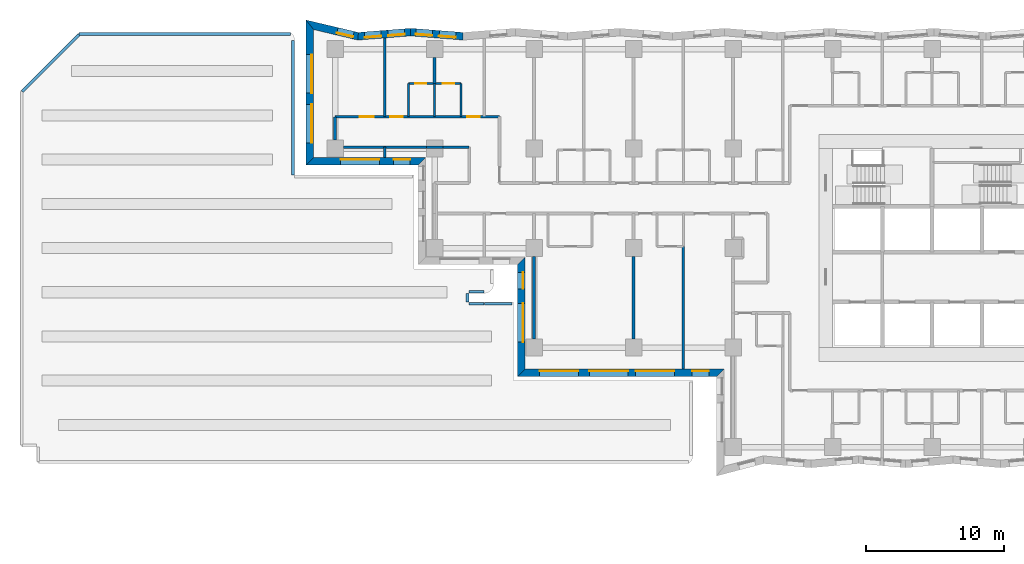
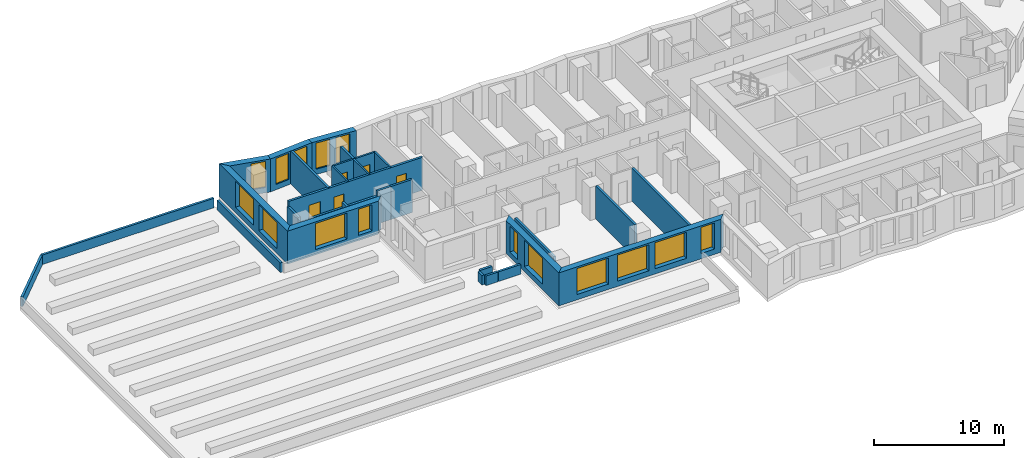
# One storey, part 4 of 15: 29 walls, 15 windows, 5 doors, 20 openings.
"""IFC4 building model written with IfcOpenShell, lengths in metres."""

import ifcopenshell
import ifcopenshell.guid

model = None  # the IFC model being written
_history = None  # IfcOwnerHistory: only IFC2X3 demands one
_inside = {}  # id of a spatial element -> (the spatial element, [elements in it])
_under = {}  # id of a project, library or spatial element -> (it, [spatial elements below it])
_declared = {}  # id of a project -> (the project, [libraries it declares])
_typed = {}  # id of a type object -> (the type object, [elements of that type])
_made_of = {}  # id of a material, layer set ... -> (it, [elements and type objects made of it])


def new_model(schema):
    """Start an empty IFC model of exactly this schema.

    Asked for "IFC4X3", IfcOpenShell would pick the latest addendum, in which some entities
    have other attributes; the version numbers below select the first issue.
    IFC2X3 requires an IfcOwnerHistory on every rooted entity: one is made here for all.
    """
    global model, _history
    if schema == "IFC4X3":
        model = ifcopenshell.file(schema_version=(4, 3, 0, 0))
    else:
        model = ifcopenshell.file(schema=schema)
    _inside.clear()
    _under.clear()
    _declared.clear()
    _typed.clear()
    _made_of.clear()
    _history = None
    if model.schema == "IFC2X3":
        org = make("IfcOrganization", Name="unknown")
        user = make(
            "IfcPersonAndOrganization",
            ThePerson=make("IfcPerson", FamilyName="unknown"),
            TheOrganization=org,
        )
        app = make(
            "IfcApplication",
            ApplicationDeveloper=org,
            Version="unknown",
            ApplicationFullName="unknown",
            ApplicationIdentifier="unknown",
        )
        _history = make(
            "IfcOwnerHistory",
            OwningUser=user,
            OwningApplication=app,
            ChangeAction="ADDED",
            CreationDate=0,
        )
    return model


def make(cls, **values):
    """One entity of the class cls with the attributes given. An attribute that is None is left unset."""
    return model.create_entity(
        cls, **{name: value for name, value in values.items() if value is not None}
    )


def rooted(cls, **values):
    """An entity with a GlobalId (a new one), such as an element, a storey or a relation."""
    return make(cls, GlobalId=ifcopenshell.guid.new(), OwnerHistory=_history, **values)


def si_unit(unit_type, name, prefix=None):
    """IfcSIUnit, for example si_unit("LENGTHUNIT", "METRE", prefix="MILLI")."""
    return make("IfcSIUnit", UnitType=unit_type, Prefix=prefix, Name=name)


def assignment(units):
    """IfcUnitAssignment: the units of a project."""
    return None if units is None else make("IfcUnitAssignment", Units=units)


def point(xyz):
    """IfcCartesianPoint."""
    return None if xyz is None else make("IfcCartesianPoint", Coordinates=xyz)


def direction(xyz):
    """IfcDirection."""
    return None if xyz is None else make("IfcDirection", DirectionRatios=xyz)


def frame(location, z_axis=None, x_axis=None):
    """IfcAxis2Placement3D, a coordinate frame: its origin and axes. An axis left out is left unset."""
    return make(
        "IfcAxis2Placement3D",
        Location=point(location),
        Axis=direction(z_axis),
        RefDirection=direction(x_axis),
    )


def frame_2d(location, x_axis=None):
    """IfcAxis2Placement2D, a coordinate frame in the plane: its origin and x axis."""
    return make(
        "IfcAxis2Placement2D", Location=point(location), RefDirection=direction(x_axis)
    )


def origin():
    """The frame at (0, 0, 0) with its axes left unset."""
    return frame((0.0, 0.0, 0.0))


def place(relative_to, where):
    """IfcLocalPlacement: puts the frame where relative to a parent placement (None: the world)."""
    return make(
        "IfcLocalPlacement", PlacementRelTo=relative_to, RelativePlacement=where
    )


def context(
    kind, dimensions, precision=None, world=None, true_north=None, identifier=None
):
    """IfcGeometricRepresentationContext, for example the 3D "Model" context."""
    return make(
        "IfcGeometricRepresentationContext",
        ContextIdentifier=identifier,
        ContextType=kind,
        CoordinateSpaceDimension=dimensions,
        Precision=precision,
        WorldCoordinateSystem=world,
        TrueNorth=true_north,
    )


def subcontext(parent, identifier, kind, view, scale=None):
    """IfcGeometricRepresentationSubContext, for example "Body" below "Model"."""
    return make(
        "IfcGeometricRepresentationSubContext",
        ContextIdentifier=identifier,
        ContextType=kind,
        ParentContext=parent,
        TargetScale=scale,
        TargetView=view,
    )


def project(units=None, contexts=None):
    """IfcProject with its units and contexts."""
    return rooted(
        "IfcProject",
        Name="project",
        RepresentationContexts=contexts,
        UnitsInContext=assignment(units),
    )


def spatial(cls, under=None, at=None, **own):
    """A site, building, storey or space (cls), placed at a placement, below another one or the project."""
    s = rooted(cls, ObjectPlacement=at, **own)
    if under is not None:
        _under.setdefault(under.id(), (under, []))[1].append(s)
    return s


def polyline(points):
    """IfcPolyline through the points."""
    return make("IfcPolyline", Points=[point(p) for p in points])


def profile(cls, at=None, kind="AREA", **sizes):
    """A parametric profile (cls). Its sizes go by their IFC names, for example OverallWidth=200.0."""
    return make(cls, ProfileType=kind, Position=at, **sizes)


def rectangle(**sizes):
    """IfcRectangleProfileDef."""
    return profile("IfcRectangleProfileDef", **sizes)


def outline(outer, holes=None, kind="AREA"):
    """IfcArbitraryClosedProfileDef: a profile drawn as a closed curve; with holes, ...WithVoids."""
    if holes is None:
        return make("IfcArbitraryClosedProfileDef", ProfileType=kind, OuterCurve=outer)
    return make(
        "IfcArbitraryProfileDefWithVoids",
        ProfileType=kind,
        OuterCurve=outer,
        InnerCurves=holes,
    )


def extrude(swept, where, along, depth):
    """IfcExtrudedAreaSolid: the profile swept, set in the frame where, extruded along a direction by depth."""
    return make(
        "IfcExtrudedAreaSolid",
        SweptArea=swept,
        Position=where,
        ExtrudedDirection=direction(along),
        Depth=depth,
    )


def shape(context_of_items, identifier, shape_type, items):
    """IfcShapeRepresentation: the items that make up one representation, for example the "Body"."""
    return make(
        "IfcShapeRepresentation",
        ContextOfItems=context_of_items,
        RepresentationIdentifier=identifier,
        RepresentationType=shape_type,
        Items=items,
    )


def material(Name=None, Category=None):
    """IfcMaterial."""
    return make("IfcMaterial", Name=Name, Category=Category)


def layer(
    of_material, thickness, ventilated=None, Name=None, Category=None, Priority=None
):
    """IfcMaterialLayer: one layer of a wall or slab, of a material (None: an air gap)."""
    return make(
        "IfcMaterialLayer",
        Material=of_material,
        LayerThickness=thickness,
        IsVentilated=ventilated,
        Name=Name,
        Category=Category,
        Priority=Priority,
    )


def layer_set(layers, Name=None):
    """IfcMaterialLayerSet."""
    return make("IfcMaterialLayerSet", MaterialLayers=layers, LayerSetName=Name)


def made_of(thing, what):
    """Note that an element or type object is made of a material, layer set ...; save() writes the relation."""
    if what is not None:
        _made_of.setdefault(what.id(), (what, []))[1].append(thing)
    return thing


def type_object(cls, material=None, **own):
    """A type object (cls), such as IfcWallType, which elements share."""
    return made_of(rooted(cls, **own), material)


def element(
    cls,
    number,
    at=None,
    inside=None,
    cuts=None,
    type_object=None,
    material=None,
    context=None,
    identifier="Body",
    shape_type=None,
    held_by="IfcProductDefinitionShape",
    body=None,
    shapes=None,
    **own,
):
    """One element of the class cls, such as IfcWall. Its Tag is "e" and its number.

    at: its placement. inside: the storey or other place that contains it. cuts: it is an
    opening in that element (IfcRelVoidsElement). A single representation is given by context,
    identifier, shape_type and body (its items); several are given by shapes. held_by: the class
    of the entity that holds the representations. save() writes the other relations.
    """
    e = rooted(cls, Tag="e%d" % number, ObjectPlacement=at, **own)
    if body is not None:
        shapes = [shape(context, identifier, shape_type, body)]
    if shapes is not None:
        e.Representation = make(held_by, Representations=shapes)
    if inside is not None:
        _inside.setdefault(inside.id(), (inside, []))[1].append(e)
    if cuts is not None:
        rooted(
            "IfcRelVoidsElement", RelatingBuildingElement=cuts, RelatedOpeningElement=e
        )
    if type_object is not None:
        _typed.setdefault(type_object.id(), (type_object, []))[1].append(e)
    return made_of(e, material)


def fill(opening, filler):
    """IfcRelFillsElement: the door or window that sits in an opening."""
    return rooted(
        "IfcRelFillsElement",
        RelatingOpeningElement=opening,
        RelatedBuildingElement=filler,
    )


def aggregate(whole, parts):
    """IfcRelAggregates: a whole, such as a stair, and the parts it consists of."""
    return rooted("IfcRelAggregates", RelatingObject=whole, RelatedObjects=parts)


def save(model, path):
    """Write the relations noted so far, then the file.

    IfcRelAggregates (storeys below a building ...), IfcRelContainedInSpatialStructure (elements
    in a storey), IfcRelDefinesByType, IfcRelAssociatesMaterial and IfcRelDeclares: one each for
    every whole, place, type object, material and project.
    """
    for whole, parts in _under.values():
        aggregate(whole, parts)
    for where, things in _inside.values():
        rooted(
            "IfcRelContainedInSpatialStructure",
            RelatedElements=things,
            RelatingStructure=where,
        )
    for kind, things in _typed.values():
        rooted("IfcRelDefinesByType", RelatedObjects=things, RelatingType=kind)
    for what, things in _made_of.values():
        rooted("IfcRelAssociatesMaterial", RelatedObjects=things, RelatingMaterial=what)
    for by, libraries in _declared.values():
        rooted("IfcRelDeclares", RelatingContext=by, RelatedDefinitions=libraries)
    model.write(path)


model = new_model("IFC4")

# Units and contexts
model_context = context("Model", 3, precision=1e-05, world=origin(), true_north=direction((0.0, 1.0)))
body_context = subcontext(model_context, "Body", "Model", "MODEL_VIEW")
ifc_project = project(units=[si_unit("LENGTHUNIT", "METRE"), si_unit("AREAUNIT", "SQUARE_METRE"), si_unit("VOLUMEUNIT", "CUBIC_METRE"), si_unit("PLANEANGLEUNIT", "RADIAN"), si_unit("MASSUNIT", "GRAM", prefix="KILO")], contexts=[model_context])

# Site, building, storey
site_placement = place(None, origin())
site = spatial("IfcSite", under=ifc_project, at=site_placement, CompositionType="ELEMENT")
building_placement = place(site_placement, origin())
building = spatial("IfcBuilding", under=site, at=building_placement, Name="Windrow Commons", CompositionType="ELEMENT")
storey_placement = place(building_placement, frame((0.0, 0.0, 27.0)))
storey = spatial("IfcBuildingStorey", under=building, at=storey_placement, Name="L06", CompositionType="ELEMENT", Elevation=27.0)

# Wall, openings, windows
ifc_material_1 = material(Name="Brick masonry, red clay brick", Category="masonry")
ifc_layer_1 = layer(ifc_material_1, 0.55)
ifc_layer_set_1 = layer_set([ifc_layer_1], Name="Brick facade wall 550")
wall_type_1 = type_object("IfcWallType", Name="Brick facade wall 550", PredefinedType="SOLIDWALL", material=ifc_layer_set_1)
wall_1_placement = place(storey_placement, frame((30.8569, 72.9241, 0.0), z_axis=(0.0, 0.0, 1.0), x_axis=(-0.9968747806, 0.0789979222, 0.0)))
wall_1 = element("IfcWall", 1, at=wall_1_placement, inside=storey, type_object=wall_type_1, Name="Brick facade wall L06 36", PredefinedType="SOLIDWALL", context=body_context, shape_type="SweptSolid", body=[
    extrude(outline(polyline([(0.0218, -0.275), (3.8193, -0.275), (3.7757, 0.275), (-0.0218, 0.275), (0.0218, -0.275)])), origin(), (0.0, 0.0, 1.0), 3.1),
])
opening_1_placement = place(wall_1_placement, frame((0.5317, 0.0, 0.5)))
opening_1 = element("IfcOpeningElement", 2, at=opening_1_placement, cuts=wall_1, Name="Opening W7D", PredefinedType="OPENING", context=body_context, shape_type="SweptSolid", body=[
    extrude(rectangle(XDim=1.2, YDim=2.45, at=frame_2d((0.6, 1.225))), frame((0.0, 0.285, 0.0), z_axis=(0.0, -1.0, 0.0), x_axis=(1.0, 0.0, 0.0)), (0.0, 0.0, 1.0), 0.57),
])
opening_2_placement = place(wall_1_placement, frame((2.2195, 0.0, 0.5)))
opening_2 = element("IfcOpeningElement", 3, at=opening_2_placement, cuts=wall_1, Name="Opening W7D", PredefinedType="OPENING", context=body_context, shape_type="SweptSolid", body=[
    extrude(rectangle(XDim=1.2, YDim=2.45, at=frame_2d((0.6, 1.225))), frame((0.0, 0.285, 0.0), z_axis=(0.0, -1.0, 0.0), x_axis=(1.0, 0.0, 0.0)), (0.0, 0.0, 1.0), 0.57),
])
ifc_material_2 = material(Name="Clear float glass in anodised aluminium frame", Category="aluminium")
window_type_1 = type_object("IfcWindowType", Name="Window W7 notch 1200x2450", PartitioningType="SINGLE_PANEL", PredefinedType="WINDOW", material=ifc_material_2)
window_1_placement = place(opening_1_placement, origin())
window_1 = element("IfcWindow", 4, at=window_1_placement, inside=storey, type_object=window_type_1, Name="Window L06 36.1", OverallHeight=2.45, OverallWidth=1.2, PartitioningType="SINGLE_PANEL", PredefinedType="WINDOW", context=body_context, shape_type="SweptSolid", body=[
    extrude(rectangle(XDim=1.2, YDim=2.45, at=frame_2d((0.6, 1.225))), frame((0.0, 0.155, 0.0), z_axis=(0.0, -1.0, 0.0), x_axis=(1.0, 0.0, 0.0)), (0.0, 0.0, 1.0), 0.06),
])
fill(opening_1, window_1)
window_2_placement = place(opening_2_placement, origin())
window_2 = element("IfcWindow", 5, at=window_2_placement, inside=storey, type_object=window_type_1, Name="Window L06 36.2", OverallHeight=2.45, OverallWidth=1.2, PartitioningType="SINGLE_PANEL", PredefinedType="WINDOW", context=body_context, shape_type="SweptSolid", body=[
    extrude(rectangle(XDim=1.2, YDim=2.45, at=frame_2d((0.6, 1.225))), frame((0.0, 0.155, 0.0), z_axis=(0.0, -1.0, 0.0), x_axis=(1.0, 0.0, 0.0)), (0.0, 0.0, 1.0), 0.06),
])
fill(opening_2, window_2)

wall_2_placement = place(storey_placement, frame((27.0712, 73.2241, 0.0), z_axis=(0.0, 0.0, 1.0), x_axis=(-0.9968745318, -0.0790010628, 0.0)))
wall_2 = element("IfcWall", 6, at=wall_2_placement, inside=storey, type_object=wall_type_1, Name="Brick facade wall L06 37", PredefinedType="SOLIDWALL", context=body_context, shape_type="SweptSolid", body=[
    extrude(outline(polyline([(-0.0218, -0.275), (3.7757, -0.275), (3.8623, 0.275), (0.0218, 0.275), (-0.0218, -0.275)])), origin(), (0.0, 0.0, 1.0), 3.1),
])
opening_3_placement = place(wall_2_placement, frame((0.4494, 0.0, 0.5)))
opening_3 = element("IfcOpeningElement", 7, at=opening_3_placement, cuts=wall_2, Name="Opening W7D", PredefinedType="OPENING", context=body_context, shape_type="SweptSolid", body=[
    extrude(rectangle(XDim=1.2, YDim=2.45, at=frame_2d((0.6, 1.225))), frame((0.0, 0.285, 0.0), z_axis=(0.0, -1.0, 0.0), x_axis=(1.0, 0.0, 0.0)), (0.0, 0.0, 1.0), 0.57),
])
opening_4_placement = place(wall_2_placement, frame((2.1481, 0.0, 0.5)))
opening_4 = element("IfcOpeningElement", 8, at=opening_4_placement, cuts=wall_2, Name="Opening W7D", PredefinedType="OPENING", context=body_context, shape_type="SweptSolid", body=[
    extrude(rectangle(XDim=1.2, YDim=2.45, at=frame_2d((0.6, 1.225))), frame((0.0, 0.285, 0.0), z_axis=(0.0, -1.0, 0.0), x_axis=(1.0, 0.0, 0.0)), (0.0, 0.0, 1.0), 0.57),
])
window_3_placement = place(opening_3_placement, origin())
window_3 = element("IfcWindow", 9, at=window_3_placement, inside=storey, type_object=window_type_1, Name="Window L06 37.1", OverallHeight=2.45, OverallWidth=1.2, PartitioningType="SINGLE_PANEL", PredefinedType="WINDOW", context=body_context, shape_type="SweptSolid", body=[
    extrude(rectangle(XDim=1.2, YDim=2.45, at=frame_2d((0.6, 1.225))), frame((0.0, 0.155, 0.0), z_axis=(0.0, -1.0, 0.0), x_axis=(1.0, 0.0, 0.0)), (0.0, 0.0, 1.0), 0.06),
])
fill(opening_3, window_3)
window_4_placement = place(opening_4_placement, origin())
window_4 = element("IfcWindow", 10, at=window_4_placement, inside=storey, type_object=window_type_1, Name="Window L06 37.2", OverallHeight=2.45, OverallWidth=1.2, PartitioningType="SINGLE_PANEL", PredefinedType="WINDOW", context=body_context, shape_type="SweptSolid", body=[
    extrude(rectangle(XDim=1.2, YDim=2.45, at=frame_2d((0.6, 1.225))), frame((0.0, 0.155, 0.0), z_axis=(0.0, -1.0, 0.0), x_axis=(1.0, 0.0, 0.0)), (0.0, 0.0, 1.0), 0.06),
])
fill(opening_4, window_4)

# Wall, opening, window
wall_3_placement = place(storey_placement, frame((23.2642, 72.9224, 0.0), z_axis=(0.0, 0.0, 1.0), x_axis=(-0.9728791637, 0.231313927, 0.0)))
wall_3 = element("IfcWall", 11, at=wall_3_placement, inside=storey, type_object=wall_type_1, Name="Brick facade wall L06 38", PredefinedType="SOLIDWALL", context=body_context, shape_type="SweptSolid", body=[
    extrude(outline(polyline([(0.0433, -0.275), (3.9345, -0.275), (3.2384, 0.275), (-0.0433, 0.275), (0.0433, -0.275)])), origin(), (0.0, 0.0, 1.0), 3.1),
])
opening_5_placement = place(wall_3_placement, frame((0.3553, 0.0, 0.5)))
opening_5 = element("IfcOpeningElement", 12, at=opening_5_placement, cuts=wall_3, Name="Opening W7D", PredefinedType="OPENING", context=body_context, shape_type="SweptSolid", body=[
    extrude(rectangle(XDim=1.2, YDim=2.45, at=frame_2d((0.6, 1.225))), frame((0.0, 0.285, 0.0), z_axis=(0.0, -1.0, 0.0), x_axis=(1.0, 0.0, 0.0)), (0.0, 0.0, 1.0), 0.57),
])
window_5_placement = place(opening_5_placement, origin())
window_5 = element("IfcWindow", 13, at=window_5_placement, inside=storey, type_object=window_type_1, Name="Window L06 38.1", OverallHeight=2.45, OverallWidth=1.2, PartitioningType="SINGLE_PANEL", PredefinedType="WINDOW", context=body_context, shape_type="SweptSolid", body=[
    extrude(rectangle(XDim=1.2, YDim=2.45, at=frame_2d((0.6, 1.225))), frame((0.0, 0.155, 0.0), z_axis=(0.0, -1.0, 0.0), x_axis=(1.0, 0.0, 0.0)), (0.0, 0.0, 1.0), 0.06),
])
fill(opening_5, window_5)

# Wall, openings, windows
wall_4_placement = place(storey_placement, frame((19.775, 73.752, 0.0), z_axis=(0.0, 0.0, 1.0), x_axis=(0.0, -1.0, 0.0)))
wall_4 = element("IfcWall", 14, at=wall_4_placement, inside=storey, type_object=wall_type_1, Name="Brick facade wall L06 39", PredefinedType="SOLIDWALL", context=body_context, shape_type="SweptSolid", body=[
    extrude(outline(polyline([(-0.348, -0.275), (10.152, -0.275), (9.602, 0.275), (0.348, 0.275), (-0.348, -0.275)])), origin(), (0.0, 0.0, 1.0), 3.1),
])
opening_6_placement = place(wall_4_placement, frame((2.152, 0.0, 0.5)))
opening_6 = element("IfcOpeningElement", 15, at=opening_6_placement, cuts=wall_4, Name="Opening W1T", PredefinedType="OPENING", context=body_context, shape_type="SweptSolid", body=[
    extrude(rectangle(XDim=2.8, YDim=2.45, at=frame_2d((1.4, 1.225))), frame((0.0, 0.285, 0.0), z_axis=(0.0, -1.0, 0.0), x_axis=(1.0, 0.0, 0.0)), (0.0, 0.0, 1.0), 0.57),
])
opening_7_placement = place(wall_4_placement, frame((5.752, 0.0, 0.5)))
opening_7 = element("IfcOpeningElement", 16, at=opening_7_placement, cuts=wall_4, Name="Opening W1T", PredefinedType="OPENING", context=body_context, shape_type="SweptSolid", body=[
    extrude(rectangle(XDim=2.8, YDim=2.45, at=frame_2d((1.4, 1.225))), frame((0.0, 0.285, 0.0), z_axis=(0.0, -1.0, 0.0), x_axis=(1.0, 0.0, 0.0)), (0.0, 0.0, 1.0), 0.57),
])
ifc_material_3 = material(Name="Clear float glass in anodised aluminium frame", Category="aluminium")
window_type_2 = type_object("IfcWindowType", Name="Window W1T bedroom 2800x2450", PartitioningType="SINGLE_PANEL", PredefinedType="WINDOW", material=ifc_material_3)
window_6_placement = place(opening_6_placement, origin())
window_6 = element("IfcWindow", 17, at=window_6_placement, inside=storey, type_object=window_type_2, Name="Window L06 39.1", OverallHeight=2.45, OverallWidth=2.8, PartitioningType="SINGLE_PANEL", PredefinedType="WINDOW", context=body_context, shape_type="SweptSolid", body=[
    extrude(rectangle(XDim=2.8, YDim=2.45, at=frame_2d((1.4, 1.225))), frame((0.0, 0.155, 0.0), z_axis=(0.0, -1.0, 0.0), x_axis=(1.0, 0.0, 0.0)), (0.0, 0.0, 1.0), 0.06),
])
fill(opening_6, window_6)
window_7_placement = place(opening_7_placement, origin())
window_7 = element("IfcWindow", 18, at=window_7_placement, inside=storey, type_object=window_type_2, Name="Window L06 39.2", OverallHeight=2.45, OverallWidth=2.8, PartitioningType="SINGLE_PANEL", PredefinedType="WINDOW", context=body_context, shape_type="SweptSolid", body=[
    extrude(rectangle(XDim=2.8, YDim=2.45, at=frame_2d((1.4, 1.225))), frame((0.0, 0.155, 0.0), z_axis=(0.0, -1.0, 0.0), x_axis=(1.0, 0.0, 0.0)), (0.0, 0.0, 1.0), 0.06),
])
fill(opening_7, window_7)

wall_5_placement = place(storey_placement, frame((19.775, 63.875, 0.0), z_axis=(0.0, 0.0, 1.0), x_axis=(1.0, 0.0, 0.0)))
wall_5 = element("IfcWall", 19, at=wall_5_placement, inside=storey, type_object=wall_type_1, Name="Brick facade wall L06 40", PredefinedType="SOLIDWALL", context=body_context, shape_type="SweptSolid", body=[
    extrude(outline(polyline([(-0.275, -0.275), (7.825, -0.275), (8.375, 0.275), (0.275, 0.275), (-0.275, -0.275)])), origin(), (0.0, 0.0, 1.0), 3.1),
])
opening_8_placement = place(wall_5_placement, frame((2.225, 0.0, 0.5)))
opening_8 = element("IfcOpeningElement", 20, at=opening_8_placement, cuts=wall_5, Name="Opening W1T", PredefinedType="OPENING", context=body_context, shape_type="SweptSolid", body=[
    extrude(rectangle(XDim=2.8, YDim=2.45, at=frame_2d((1.4, 1.225))), frame((0.0, 0.285, 0.0), z_axis=(0.0, -1.0, 0.0), x_axis=(1.0, 0.0, 0.0)), (0.0, 0.0, 1.0), 0.57),
])
opening_9_placement = place(wall_5_placement, frame((6.0625, 0.0, 0.5)))
opening_9 = element("IfcOpeningElement", 21, at=opening_9_placement, cuts=wall_5, Name="Opening W7D", PredefinedType="OPENING", context=body_context, shape_type="SweptSolid", body=[
    extrude(rectangle(XDim=1.2, YDim=2.45, at=frame_2d((0.6, 1.225))), frame((0.0, 0.285, 0.0), z_axis=(0.0, -1.0, 0.0), x_axis=(1.0, 0.0, 0.0)), (0.0, 0.0, 1.0), 0.57),
])
window_8_placement = place(opening_8_placement, origin())
window_8 = element("IfcWindow", 22, at=window_8_placement, inside=storey, type_object=window_type_2, Name="Window L06 40.1", OverallHeight=2.45, OverallWidth=2.8, PartitioningType="SINGLE_PANEL", PredefinedType="WINDOW", context=body_context, shape_type="SweptSolid", body=[
    extrude(rectangle(XDim=2.8, YDim=2.45, at=frame_2d((1.4, 1.225))), frame((0.0, 0.155, 0.0), z_axis=(0.0, -1.0, 0.0), x_axis=(1.0, 0.0, 0.0)), (0.0, 0.0, 1.0), 0.06),
])
fill(opening_8, window_8)
window_9_placement = place(opening_9_placement, origin())
window_9 = element("IfcWindow", 23, at=window_9_placement, inside=storey, type_object=window_type_1, Name="Window L06 40.2", OverallHeight=2.45, OverallWidth=1.2, PartitioningType="SINGLE_PANEL", PredefinedType="WINDOW", context=body_context, shape_type="SweptSolid", body=[
    extrude(rectangle(XDim=1.2, YDim=2.45, at=frame_2d((0.6, 1.225))), frame((0.0, 0.155, 0.0), z_axis=(0.0, -1.0, 0.0), x_axis=(1.0, 0.0, 0.0)), (0.0, 0.0, 1.0), 0.06),
])
fill(opening_9, window_9)

wall_6_placement = place(storey_placement, frame((35.075, 56.675, 0.0), z_axis=(0.0, 0.0, 1.0), x_axis=(0.0, -1.0, 0.0)))
wall_6 = element("IfcWall", 24, at=wall_6_placement, inside=storey, type_object=wall_type_1, Name="Brick facade wall L06 43", PredefinedType="SOLIDWALL", context=body_context, shape_type="SweptSolid", body=[
    extrude(outline(polyline([(0.275, -0.275), (8.375, -0.275), (7.825, 0.275), (-0.275, 0.275), (0.275, -0.275)])), origin(), (0.0, 0.0, 1.0), 3.1),
])
opening_10_placement = place(wall_6_placement, frame((3.075, 0.0, 0.5)))
opening_10 = element("IfcOpeningElement", 25, at=opening_10_placement, cuts=wall_6, Name="Opening W1T", PredefinedType="OPENING", context=body_context, shape_type="SweptSolid", body=[
    extrude(rectangle(XDim=2.8, YDim=2.45, at=frame_2d((1.4, 1.225))), frame((0.0, 0.285, 0.0), z_axis=(0.0, -1.0, 0.0), x_axis=(1.0, 0.0, 0.0)), (0.0, 0.0, 1.0), 0.57),
])
opening_11_placement = place(wall_6_placement, frame((0.8375, 0.0, 0.5)))
opening_11 = element("IfcOpeningElement", 26, at=opening_11_placement, cuts=wall_6, Name="Opening W7D", PredefinedType="OPENING", context=body_context, shape_type="SweptSolid", body=[
    extrude(rectangle(XDim=1.2, YDim=2.45, at=frame_2d((0.6, 1.225))), frame((0.0, 0.285, 0.0), z_axis=(0.0, -1.0, 0.0), x_axis=(1.0, 0.0, 0.0)), (0.0, 0.0, 1.0), 0.57),
])
window_10_placement = place(opening_10_placement, origin())
window_10 = element("IfcWindow", 27, at=window_10_placement, inside=storey, type_object=window_type_2, Name="Window L06 43.1", OverallHeight=2.45, OverallWidth=2.8, PartitioningType="SINGLE_PANEL", PredefinedType="WINDOW", context=body_context, shape_type="SweptSolid", body=[
    extrude(rectangle(XDim=2.8, YDim=2.45, at=frame_2d((1.4, 1.225))), frame((0.0, 0.155, 0.0), z_axis=(0.0, -1.0, 0.0), x_axis=(1.0, 0.0, 0.0)), (0.0, 0.0, 1.0), 0.06),
])
fill(opening_10, window_10)
window_11_placement = place(opening_11_placement, origin())
window_11 = element("IfcWindow", 28, at=window_11_placement, inside=storey, type_object=window_type_1, Name="Window L06 43.2", OverallHeight=2.45, OverallWidth=1.2, PartitioningType="SINGLE_PANEL", PredefinedType="WINDOW", context=body_context, shape_type="SweptSolid", body=[
    extrude(rectangle(XDim=1.2, YDim=2.45, at=frame_2d((0.6, 1.225))), frame((0.0, 0.155, 0.0), z_axis=(0.0, -1.0, 0.0), x_axis=(1.0, 0.0, 0.0)), (0.0, 0.0, 1.0), 0.06),
])
fill(opening_11, window_11)

wall_7_placement = place(storey_placement, frame((35.075, 48.575, 0.0), z_axis=(0.0, 0.0, 1.0), x_axis=(1.0, 0.0, 0.0)))
wall_7 = element("IfcWall", 29, at=wall_7_placement, inside=storey, type_object=wall_type_1, Name="Brick facade wall L06 44", PredefinedType="SOLIDWALL", context=body_context, shape_type="SweptSolid", body=[
    extrude(outline(polyline([(-0.275, -0.275), (14.125, -0.275), (14.675, 0.275), (0.275, 0.275), (-0.275, -0.275)])), origin(), (0.0, 0.0, 1.0), 3.1),
])
opening_12_placement = place(wall_7_placement, frame((1.325, 0.0, 0.5)))
opening_12 = element("IfcOpeningElement", 30, at=opening_12_placement, cuts=wall_7, Name="Opening W1T", PredefinedType="OPENING", context=body_context, shape_type="SweptSolid", body=[
    extrude(rectangle(XDim=2.8, YDim=2.45, at=frame_2d((1.4, 1.225))), frame((0.0, 0.285, 0.0), z_axis=(0.0, -1.0, 0.0), x_axis=(1.0, 0.0, 0.0)), (0.0, 0.0, 1.0), 0.57),
])
opening_13_placement = place(wall_7_placement, frame((4.925, 0.0, 0.5)))
opening_13 = element("IfcOpeningElement", 31, at=opening_13_placement, cuts=wall_7, Name="Opening W1T", PredefinedType="OPENING", context=body_context, shape_type="SweptSolid", body=[
    extrude(rectangle(XDim=2.8, YDim=2.45, at=frame_2d((1.4, 1.225))), frame((0.0, 0.285, 0.0), z_axis=(0.0, -1.0, 0.0), x_axis=(1.0, 0.0, 0.0)), (0.0, 0.0, 1.0), 0.57),
])
opening_14_placement = place(wall_7_placement, frame((8.275, 0.0, 0.5)))
opening_14 = element("IfcOpeningElement", 32, at=opening_14_placement, cuts=wall_7, Name="Opening W1T", PredefinedType="OPENING", context=body_context, shape_type="SweptSolid", body=[
    extrude(rectangle(XDim=2.8, YDim=2.45, at=frame_2d((1.4, 1.225))), frame((0.0, 0.285, 0.0), z_axis=(0.0, -1.0, 0.0), x_axis=(1.0, 0.0, 0.0)), (0.0, 0.0, 1.0), 0.57),
])
opening_15_placement = place(wall_7_placement, frame((12.3625, 0.0, 0.5)))
opening_15 = element("IfcOpeningElement", 33, at=opening_15_placement, cuts=wall_7, Name="Opening W7D", PredefinedType="OPENING", context=body_context, shape_type="SweptSolid", body=[
    extrude(rectangle(XDim=1.2, YDim=2.45, at=frame_2d((0.6, 1.225))), frame((0.0, 0.285, 0.0), z_axis=(0.0, -1.0, 0.0), x_axis=(1.0, 0.0, 0.0)), (0.0, 0.0, 1.0), 0.57),
])
window_12_placement = place(opening_12_placement, origin())
window_12 = element("IfcWindow", 34, at=window_12_placement, inside=storey, type_object=window_type_2, Name="Window L06 44.1", OverallHeight=2.45, OverallWidth=2.8, PartitioningType="SINGLE_PANEL", PredefinedType="WINDOW", context=body_context, shape_type="SweptSolid", body=[
    extrude(rectangle(XDim=2.8, YDim=2.45, at=frame_2d((1.4, 1.225))), frame((0.0, 0.155, 0.0), z_axis=(0.0, -1.0, 0.0), x_axis=(1.0, 0.0, 0.0)), (0.0, 0.0, 1.0), 0.06),
])
fill(opening_12, window_12)
window_13_placement = place(opening_13_placement, origin())
window_13 = element("IfcWindow", 35, at=window_13_placement, inside=storey, type_object=window_type_2, Name="Window L06 44.2", OverallHeight=2.45, OverallWidth=2.8, PartitioningType="SINGLE_PANEL", PredefinedType="WINDOW", context=body_context, shape_type="SweptSolid", body=[
    extrude(rectangle(XDim=2.8, YDim=2.45, at=frame_2d((1.4, 1.225))), frame((0.0, 0.155, 0.0), z_axis=(0.0, -1.0, 0.0), x_axis=(1.0, 0.0, 0.0)), (0.0, 0.0, 1.0), 0.06),
])
fill(opening_13, window_13)
window_14_placement = place(opening_14_placement, origin())
window_14 = element("IfcWindow", 36, at=window_14_placement, inside=storey, type_object=window_type_2, Name="Window L06 44.3", OverallHeight=2.45, OverallWidth=2.8, PartitioningType="SINGLE_PANEL", PredefinedType="WINDOW", context=body_context, shape_type="SweptSolid", body=[
    extrude(rectangle(XDim=2.8, YDim=2.45, at=frame_2d((1.4, 1.225))), frame((0.0, 0.155, 0.0), z_axis=(0.0, -1.0, 0.0), x_axis=(1.0, 0.0, 0.0)), (0.0, 0.0, 1.0), 0.06),
])
fill(opening_14, window_14)
window_15_placement = place(opening_15_placement, origin())
window_15 = element("IfcWindow", 37, at=window_15_placement, inside=storey, type_object=window_type_1, Name="Window L06 44.4", OverallHeight=2.45, OverallWidth=1.2, PartitioningType="SINGLE_PANEL", PredefinedType="WINDOW", context=body_context, shape_type="SweptSolid", body=[
    extrude(rectangle(XDim=1.2, YDim=2.45, at=frame_2d((0.6, 1.225))), frame((0.0, 0.155, 0.0), z_axis=(0.0, -1.0, 0.0), x_axis=(1.0, 0.0, 0.0)), (0.0, 0.0, 1.0), 0.06),
])
fill(opening_15, window_15)

# Wall, openings, doors
ifc_material_4 = material(Name="Blockwork partition", Category="masonry")
ifc_layer_2 = layer(ifc_material_4, 0.2)
ifc_layer_set_2 = layer_set([ifc_layer_2], Name="IW-CORRIDOR-200")
wall_type_2 = type_object("IfcWallType", Name="IW-CORRIDOR-200", PredefinedType="PARTITIONING", material=ifc_layer_set_2)
wall_8_placement = place(storey_placement, frame((21.602, 67.1, 0.0), z_axis=(0.0, 0.0, 1.0), x_axis=(1.0, 0.0, 0.0)))
wall_8 = element("IfcWall", 38, at=wall_8_placement, inside=storey, type_object=wall_type_2, Name="W-L06-W005", PredefinedType="PARTITIONING", context=body_context, shape_type="SweptSolid", body=[
    extrude(rectangle(XDim=11.898, YDim=0.2, at=frame_2d((5.949, 0.0))), origin(), (0.0, 0.0, 1.0), 3.1),
])
opening_16_placement = place(wall_8_placement, frame((1.7981, 0.0, 0.0)))
opening_16 = element("IfcOpeningElement", 39, at=opening_16_placement, cuts=wall_8, Name="Opening D310F", PredefinedType="OPENING", context=body_context, shape_type="SweptSolid", body=[
    extrude(rectangle(XDim=1.0, YDim=2.1, at=frame_2d((0.5, 1.05))), frame((0.0, 0.11, 0.0), z_axis=(0.0, -1.0, 0.0), x_axis=(1.0, 0.0, 0.0)), (0.0, 0.0, 1.0), 0.22),
])
opening_17_placement = place(wall_8_placement, frame((3.998, 0.0, 0.0)))
opening_17 = element("IfcOpeningElement", 40, at=opening_17_placement, cuts=wall_8, Name="Opening D109S", PredefinedType="OPENING", context=body_context, shape_type="SweptSolid", body=[
    extrude(rectangle(XDim=0.9, YDim=2.1, at=frame_2d((0.45, 1.05))), frame((0.0, 0.11, 0.0), z_axis=(0.0, -1.0, 0.0), x_axis=(1.0, 0.0, 0.0)), (0.0, 0.0, 1.0), 0.22),
])
opening_18_placement = place(wall_8_placement, frame((9.548, 0.0, 0.0)))
opening_18 = element("IfcOpeningElement", 41, at=opening_18_placement, cuts=wall_8, Name="Opening D109S", PredefinedType="OPENING", context=body_context, shape_type="SweptSolid", body=[
    extrude(rectangle(XDim=0.9, YDim=2.1, at=frame_2d((0.45, 1.05))), frame((0.0, 0.11, 0.0), z_axis=(0.0, -1.0, 0.0), x_axis=(1.0, 0.0, 0.0)), (0.0, 0.0, 1.0), 0.22),
])
ifc_material_5 = material(Name="Timber door leaf", Category="wood")
door_type_1 = type_object("IfcDoorType", Name="DT-AMENITY-1000", OperationType="SINGLE_SWING_LEFT", PredefinedType="DOOR", material=ifc_material_5)
door_1_placement = place(opening_16_placement, origin())
door_1 = element("IfcDoor", 42, at=door_1_placement, inside=storey, type_object=door_type_1, Name="D-L06-D001", OperationType="SINGLE_SWING_RIGHT", OverallHeight=2.1, OverallWidth=1.0, PredefinedType="DOOR", context=body_context, shape_type="SweptSolid", body=[
    extrude(rectangle(XDim=1.0, YDim=2.1, at=frame_2d((0.5, 1.05))), frame((0.0, 0.025, 0.0), z_axis=(0.0, -1.0, 0.0), x_axis=(1.0, 0.0, 0.0)), (0.0, 0.0, 1.0), 0.05),
])
fill(opening_16, door_1)
ifc_material_6 = material(Name="Timber door leaf", Category="wood")
door_type_2 = type_object("IfcDoorType", Name="DT-BEDROOM-900", OperationType="SINGLE_SWING_LEFT", PredefinedType="DOOR", material=ifc_material_6)
door_2_placement = place(opening_17_placement, origin())
door_2 = element("IfcDoor", 43, at=door_2_placement, inside=storey, type_object=door_type_2, Name="D-L06-D003", OperationType="SINGLE_SWING_LEFT", OverallHeight=2.1, OverallWidth=0.9, PredefinedType="DOOR", context=body_context, shape_type="SweptSolid", body=[
    extrude(rectangle(XDim=0.9, YDim=2.1, at=frame_2d((0.45, 1.05))), frame((0.0, 0.025, 0.0), z_axis=(0.0, -1.0, 0.0), x_axis=(1.0, 0.0, 0.0)), (0.0, 0.0, 1.0), 0.05),
])
fill(opening_17, door_2)
door_3_placement = place(opening_18_placement, origin())
door_3 = element("IfcDoor", 44, at=door_3_placement, inside=storey, type_object=door_type_2, Name="D-L06-D005", OperationType="SINGLE_SWING_RIGHT", OverallHeight=2.1, OverallWidth=0.9, PredefinedType="DOOR", context=body_context, shape_type="SweptSolid", body=[
    extrude(rectangle(XDim=0.9, YDim=2.1, at=frame_2d((0.45, 1.05))), frame((0.0, 0.025, 0.0), z_axis=(0.0, -1.0, 0.0), x_axis=(1.0, 0.0, 0.0)), (0.0, 0.0, 1.0), 0.05),
])
fill(opening_18, door_3)

# Walls
wall_9_placement = place(storey_placement, frame((22.2, 64.9, 0.0), z_axis=(0.0, 0.0, 1.0), x_axis=(1.0, 0.0, 0.0)))
element("IfcWall", 45, at=wall_9_placement, inside=storey, type_object=wall_type_2, Name="W-L06-W028", PredefinedType="PARTITIONING", context=body_context, shape_type="SweptSolid", body=[
    extrude(rectangle(XDim=6.0, YDim=0.2, at=frame_2d((3.0, 0.0))), origin(), (0.0, 0.0, 1.0), 2.6),
])
wall_10_placement = place(storey_placement, frame((29.4, 64.9, 0.0), z_axis=(0.0, 0.0, 1.0), x_axis=(1.0, 0.0, 0.0)))
element("IfcWall", 46, at=wall_10_placement, inside=storey, type_object=wall_type_2, Name="W-L06-W145", PredefinedType="PARTITIONING", context=body_context, shape_type="SweptSolid", body=[
    extrude(rectangle(XDim=1.9, YDim=0.2, at=frame_2d((0.95, 0.0))), origin(), (0.0, 0.0, 1.0), 3.1),
])
wall_11_placement = place(storey_placement, frame((21.6, 65.4, 0.0), z_axis=(0.0, 0.0, 1.0), x_axis=(0.0, 1.0, 0.0)))
element("IfcWall", 47, at=wall_11_placement, inside=storey, type_object=wall_type_2, Name="W-L06-W165", PredefinedType="PARTITIONING", context=body_context, shape_type="SweptSolid", body=[
    extrude(rectangle(XDim=1.698, YDim=0.2, at=frame_2d((0.849, 0.0))), origin(), (0.0, 0.0, 1.0), 2.6),
])
wall_12_placement = place(storey_placement, frame((28.2, 64.9, 0.0), z_axis=(0.0, 0.0, 1.0), x_axis=(1.0, 0.0, 0.0)))
element("IfcWall", 48, at=wall_12_placement, inside=storey, type_object=wall_type_2, Name="W-L06-W211", PredefinedType="PARTITIONING", context=body_context, shape_type="SweptSolid", body=[
    extrude(rectangle(XDim=1.2, YDim=0.2, at=frame_2d((0.6, 0.0))), origin(), (0.0, 0.0, 1.0), 3.1),
])

# Wall, openings, doors
ifc_material_7 = material(Name="Blockwork partition", Category="masonry")
ifc_layer_3 = layer(ifc_material_7, 0.15)
ifc_layer_set_3 = layer_set([ifc_layer_3], Name="IW-ENSUITE-150")
wall_type_3 = type_object("IfcWallType", Name="IW-ENSUITE-150", PredefinedType="PARTITIONING", material=ifc_layer_set_3)
wall_13_placement = place(storey_placement, frame((26.9, 69.5, 0.0), z_axis=(0.0, 0.0, 1.0), x_axis=(1.0, 0.0, 0.0)))
wall_13 = element("IfcWall", 49, at=wall_13_placement, inside=storey, type_object=wall_type_3, Name="W-L06-W063", PredefinedType="PARTITIONING", context=body_context, shape_type="SweptSolid", body=[
    extrude(rectangle(XDim=3.8, YDim=0.15, at=frame_2d((1.9, 0.0))), origin(), (0.0, 0.0, 1.0), 3.1),
])
opening_19_placement = place(wall_13_placement, frame((0.4931, 0.0, 0.0)))
opening_19 = element("IfcOpeningElement", 50, at=opening_19_placement, cuts=wall_13, Name="Opening D208N", PredefinedType="OPENING", context=body_context, shape_type="SweptSolid", body=[
    extrude(rectangle(XDim=0.8, YDim=2.1, at=frame_2d((0.4, 1.05))), frame((0.0, 0.085, 0.0), z_axis=(0.0, -1.0, 0.0), x_axis=(1.0, 0.0, 0.0)), (0.0, 0.0, 1.0), 0.17),
])
opening_20_placement = place(wall_13_placement, frame((2.5069, 0.0, 0.0)))
opening_20 = element("IfcOpeningElement", 51, at=opening_20_placement, cuts=wall_13, Name="Opening D208N", PredefinedType="OPENING", context=body_context, shape_type="SweptSolid", body=[
    extrude(rectangle(XDim=0.8, YDim=2.1, at=frame_2d((0.4, 1.05))), frame((0.0, 0.085, 0.0), z_axis=(0.0, -1.0, 0.0), x_axis=(1.0, 0.0, 0.0)), (0.0, 0.0, 1.0), 0.17),
])
ifc_material_8 = material(Name="Timber door leaf", Category="wood")
door_type_3 = type_object("IfcDoorType", Name="DT-ENSUITE-800", OperationType="SINGLE_SWING_LEFT", PredefinedType="DOOR", material=ifc_material_8)
door_4_placement = place(opening_19_placement, origin())
door_4 = element("IfcDoor", 52, at=door_4_placement, inside=storey, type_object=door_type_3, Name="D-L06-D004", OperationType="SINGLE_SWING_RIGHT", OverallHeight=2.1, OverallWidth=0.8, PredefinedType="DOOR", context=body_context, shape_type="SweptSolid", body=[
    extrude(rectangle(XDim=0.8, YDim=2.1, at=frame_2d((0.4, 1.05))), frame((0.0, 0.025, 0.0), z_axis=(0.0, -1.0, 0.0), x_axis=(1.0, 0.0, 0.0)), (0.0, 0.0, 1.0), 0.05),
])
fill(opening_19, door_4)
door_5_placement = place(opening_20_placement, origin())
door_5 = element("IfcDoor", 53, at=door_5_placement, inside=storey, type_object=door_type_3, Name="D-L06-D006", OperationType="SINGLE_SWING_RIGHT", OverallHeight=2.1, OverallWidth=0.8, PredefinedType="DOOR", context=body_context, shape_type="SweptSolid", body=[
    extrude(rectangle(XDim=0.8, YDim=2.1, at=frame_2d((0.4, 1.05))), frame((0.0, 0.025, 0.0), z_axis=(0.0, -1.0, 0.0), x_axis=(1.0, 0.0, 0.0)), (0.0, 0.0, 1.0), 0.05),
])
fill(opening_20, door_5)

# Walls
for number, where, z_axis, x_axis, name in (
    (54, (26.9, 67.1, 0.0), (0.0, 0.0, 1.0), (0.0, 1.0, 0.0), "W-L06-W084"),
    (55, (28.8, 67.1, 0.0), (0.0, 0.0, 1.0), (0.0, 1.0, 0.0), "W-L06-W085"),
    (56, (30.7, 67.1, 0.0), (0.0, 0.0, 1.0), (0.0, 1.0, 0.0), "W-L06-W086"),
):
    element("IfcWall", number, at=place(storey_placement, frame(where, z_axis=z_axis, x_axis=x_axis)), inside=storey, type_object=wall_type_3, Name=name, PredefinedType="PARTITIONING", context=body_context, shape_type="SweptSolid", body=[
        extrude(rectangle(XDim=2.4, YDim=0.15, at=frame_2d((1.2, 0.0))), origin(), (0.0, 0.0, 1.0), 3.1),
    ])
ifc_material_9 = material(Name="Blockwork partition", Category="masonry")
ifc_layer_4 = layer(ifc_material_9, 0.2)
ifc_layer_set_4 = layer_set([ifc_layer_4], Name="IW-PARTY-200")
wall_type_4 = type_object("IfcWallType", Name="IW-PARTY-200", PredefinedType="PARTITIONING", material=ifc_layer_set_4)
wall_14_placement = place(storey_placement, frame((46.8, 48.85, 0.0), z_axis=(0.0, 0.0, 1.0), x_axis=(0.0, 1.0, 0.0)))
element("IfcWall", 57, at=wall_14_placement, inside=storey, type_object=wall_type_4, Name="W-L06-W011", PredefinedType="PARTITIONING", context=body_context, shape_type="SweptSolid", body=[
    extrude(rectangle(XDim=8.85, YDim=0.2, at=frame_2d((4.425, 0.0))), origin(), (0.0, 0.0, 1.0), 3.1),
])
wall_15_placement = place(storey_placement, frame((36.0, 51.0, 0.0), z_axis=(0.0, 0.0, 1.0), x_axis=(0.0, 1.0, 0.0)))
element("IfcWall", 58, at=wall_15_placement, inside=storey, type_object=wall_type_4, Name="W-L06-W029", PredefinedType="PARTITIONING", context=body_context, shape_type="SweptSolid", body=[
    extrude(rectangle(XDim=6.0, YDim=0.2, at=frame_2d((3.0, 0.0))), origin(), (0.0, 0.0, 1.0), 2.6),
])
wall_16_placement = place(storey_placement, frame((43.2, 51.0, 0.0), z_axis=(0.0, 0.0, 1.0), x_axis=(0.0, 1.0, 0.0)))
element("IfcWall", 59, at=wall_16_placement, inside=storey, type_object=wall_type_4, Name="W-L06-W031", PredefinedType="PARTITIONING", context=body_context, shape_type="SweptSolid", body=[
    extrude(rectangle(XDim=6.0, YDim=0.2, at=frame_2d((3.0, 0.0))), origin(), (0.0, 0.0, 1.0), 3.1),
])
wall_17_placement = place(storey_placement, frame((25.2, 67.1, 0.0), z_axis=(0.0, 0.0, 1.0), x_axis=(0.0, 1.0, 0.0)))
element("IfcWall", 60, at=wall_17_placement, inside=storey, type_object=wall_type_4, Name="W-L06-W036", PredefinedType="PARTITIONING", context=body_context, shape_type="SweptSolid", body=[
    extrude(rectangle(XDim=5.7, YDim=0.2, at=frame_2d((2.85, 0.0))), origin(), (0.0, 0.0, 1.0), 3.1),
])
wall_18_placement = place(storey_placement, frame((28.8, 69.5, 0.0), z_axis=(0.0, 0.0, 1.0), x_axis=(0.0, 1.0, 0.0)))
element("IfcWall", 61, at=wall_18_placement, inside=storey, type_object=wall_type_4, Name="W-L06-W139", PredefinedType="PARTITIONING", context=body_context, shape_type="SweptSolid", body=[
    extrude(rectangle(XDim=1.9, YDim=0.2, at=frame_2d((0.95, 0.0))), origin(), (0.0, 0.0, 1.0), 3.1),
])
wall_19_placement = place(storey_placement, frame((25.2, 64.15, 0.0), z_axis=(0.0, 0.0, 1.0), x_axis=(0.0, 1.0, 0.0)))
element("IfcWall", 62, at=wall_19_placement, inside=storey, type_object=wall_type_4, Name="W-L06-W191", PredefinedType="PARTITIONING", context=body_context, shape_type="SweptSolid", body=[
    extrude(rectangle(XDim=0.75, YDim=0.2, at=frame_2d((0.375, 0.0))), origin(), (0.0, 0.0, 1.0), 3.1),
])
ifc_material_10 = material(Name="Brick masonry, red clay brick", Category="masonry")
ifc_layer_5 = layer(ifc_material_10, 0.2)
ifc_layer_set_5 = layer_set([ifc_layer_5], Name="Terrace edge parapet 200")
wall_type_5 = type_object("IfcWallType", Name="Terrace edge parapet 200", PredefinedType="PARAPET", material=ifc_layer_set_5)
wall_20_placement = place(storey_placement, frame((-1.0375, 68.9219, 0.0), z_axis=(0.0, 0.0, 1.0), x_axis=(0.7070981905, 0.7071153718, 0.0)))
element("IfcWall", 63, at=wall_20_placement, inside=storey, type_object=wall_type_5, Name="Roof parapet L05 1", PredefinedType="PARAPET", context=body_context, shape_type="SweptSolid", body=[
    extrude(rectangle(XDim=5.8203, YDim=0.2, at=frame_2d((2.9101, 0.0))), origin(), (0.0, 0.0, 1.0), 0.9),
])
wall_21_placement = place(storey_placement, frame((3.0858, 73.08, 0.0), z_axis=(0.0, 0.0, 1.0), x_axis=(1.0, 0.0, 0.0)))
element("IfcWall", 64, at=wall_21_placement, inside=storey, type_object=wall_type_5, Name="Roof parapet L05 2", PredefinedType="PARAPET", context=body_context, shape_type="SweptSolid", body=[
    extrude(rectangle(XDim=15.2991, YDim=0.2, at=frame_2d((7.6495, 0.0))), origin(), (0.0, 0.0, 1.0), 0.9),
])
wall_22_placement = place(storey_placement, frame((18.56, 72.6263, 0.0), z_axis=(0.0, 0.0, 1.0), x_axis=(0.0, -1.0, 0.0)))
element("IfcWall", 65, at=wall_22_placement, inside=storey, type_object=wall_type_5, Name="Roof parapet L05 3", PredefinedType="PARAPET", context=body_context, shape_type="SweptSolid", body=[
    extrude(rectangle(XDim=9.7263, YDim=0.2, at=frame_2d((4.8632, 0.0))), origin(), (0.0, 0.0, 1.0), 0.9),
])
wall_23_placement = place(storey_placement, frame((32.3763, 54.44, 0.0), z_axis=(0.0, 0.0, 1.0), x_axis=(-1.0, 0.0, 0.0)))
element("IfcWall", 66, at=wall_23_placement, inside=storey, type_object=wall_type_5, Name="Roof parapet L05 6", PredefinedType="PARAPET", context=body_context, shape_type="SweptSolid", body=[
    extrude(rectangle(XDim=1.0763, YDim=0.2, at=frame_2d((0.5382, 0.0))), origin(), (0.0, 0.0, 1.0), 0.9),
])
wall_24_placement = place(storey_placement, frame((31.18, 54.32, 0.0), z_axis=(0.0, 0.0, 1.0), x_axis=(0.0, -1.0, 0.0)))
element("IfcWall", 67, at=wall_24_placement, inside=storey, type_object=wall_type_5, Name="Roof parapet L05 7", PredefinedType="PARAPET", context=body_context, shape_type="SweptSolid", body=[
    extrude(rectangle(XDim=0.64, YDim=0.2, at=frame_2d((0.32, 0.0))), origin(), (0.0, 0.0, 1.0), 0.9),
])
wall_25_placement = place(storey_placement, frame((31.3, 53.56, 0.0), z_axis=(0.0, 0.0, 1.0), x_axis=(1.0, 0.0, 0.0)))
element("IfcWall", 68, at=wall_25_placement, inside=storey, type_object=wall_type_5, Name="Roof parapet L05 8", PredefinedType="PARAPET", context=body_context, shape_type="SweptSolid", body=[
    extrude(rectangle(XDim=1.0763, YDim=0.2, at=frame_2d((0.5382, 0.0))), origin(), (0.0, 0.0, 1.0), 0.9),
])
wall_26_placement = place(storey_placement, frame((32.4237, 53.56, 0.0), z_axis=(0.0, 0.0, 1.0), x_axis=(1.0, 0.0, 0.0)))
element("IfcWall", 69, at=wall_26_placement, inside=storey, type_object=wall_type_5, Name="Roof parapet L05 9", PredefinedType="PARAPET", context=body_context, shape_type="SweptSolid", body=[
    extrude(rectangle(XDim=1.9763, YDim=0.2, at=frame_2d((0.9881, 0.0))), origin(), (0.0, 0.0, 1.0), 0.9),
])

save(model, "model.ifc")
